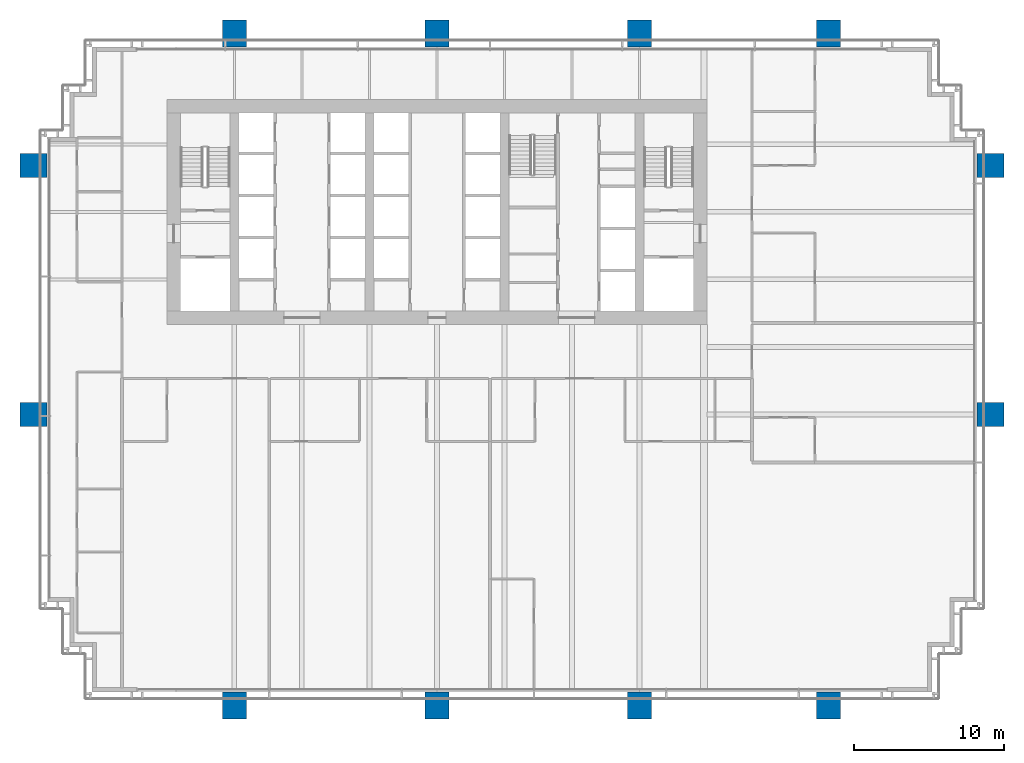
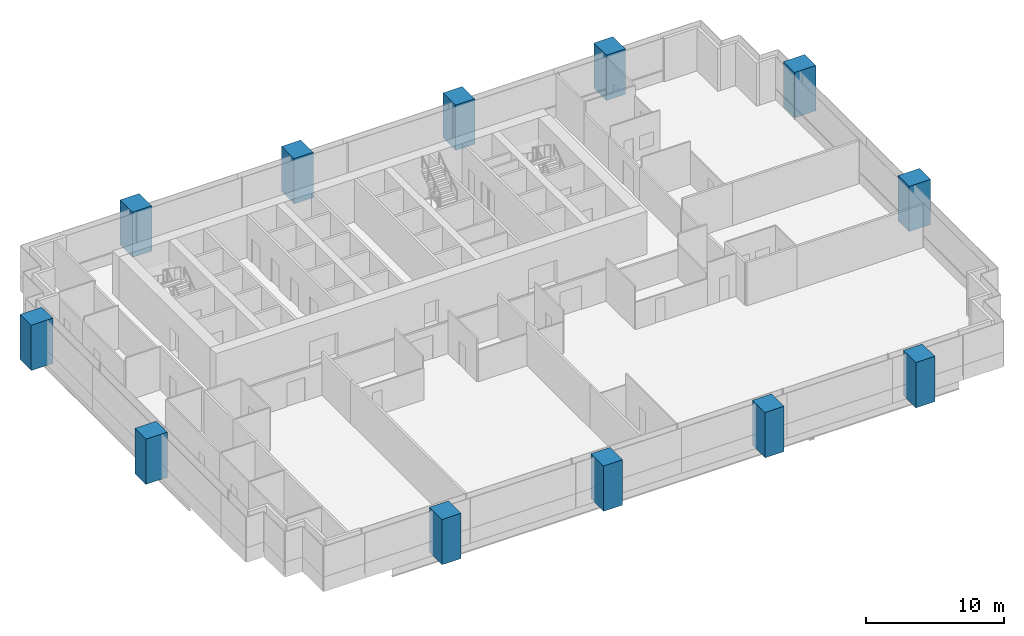
# One storey, part 1 of 19: 12 columns.
"""IFC4 building model written with IfcOpenShell, lengths in metres."""

from ifc_helpers import new_model, si_unit, direction, frame, origin, origin_2d, place, context, subcontext, project, spatial, rectangle, extrude, material, material_profile, profile_set, type_object, element, save


model = new_model("IFC4")

# Units and contexts
model_context = context("Model", 3, precision=1e-05, world=origin(), true_north=direction((0.0, 1.0)))
body_context = subcontext(model_context, "Body", "Model", "MODEL_VIEW")
ifc_project = project(units=[si_unit("LENGTHUNIT", "METRE"), si_unit("AREAUNIT", "SQUARE_METRE"), si_unit("VOLUMEUNIT", "CUBIC_METRE"), si_unit("PLANEANGLEUNIT", "RADIAN"), si_unit("MASSUNIT", "GRAM", prefix="KILO")], contexts=[model_context])

# Site, building, storey
site_placement = place(None, origin())
site = spatial("IfcSite", under=ifc_project, at=site_placement, CompositionType="ELEMENT")
building_placement = place(site_placement, origin())
building = spatial("IfcBuilding", under=site, at=building_placement, Name="Rattan Terrace Tower", CompositionType="ELEMENT")
storey_placement = place(building_placement, frame((0.0, 0.0, 87.699951171875)))
storey = spatial("IfcBuildingStorey", under=building, at=storey_placement, Name="L19", CompositionType="ELEMENT", Elevation=87.699951171875)

# Columns
ifc_material = material(Name="Concrete C60/75", Category="concrete")
ifc_material_profile = material_profile(ifc_material, rectangle(XDim=1.60009765625, YDim=1.800048828125, at=origin_2d()), Name="CFT 1800x1600")
ifc_profile_set = profile_set([ifc_material_profile], Name="Concrete C60/75")
column_type = type_object("IfcColumnType", Name="Frame exoskeleton column CFT 1800x1600", PredefinedType="COLUMN", material=ifc_profile_set)
for number, where, z_axis, x_axis, name in (
    (1, (-13.5, -32.89990234375, -0.199951171875), (0.0, 0.0, 1.0), (1.0, 0.0, 0.0), "exo-L19-001"),
    (2, (0.0, -32.89990234375, -0.199951171875), (0.0, 0.0, 1.0), (1.0, 0.0, 0.0), "exo-L19-002"),
    (3, (13.5, -32.89990234375, -0.199951171875), (0.0, 0.0, 1.0), (1.0, 0.0, 0.0), "exo-L19-003"),
    (4, (26.10009765625, -32.89990234375, -0.199951171875), (0.0, 0.0, 1.0), (1.0, 0.0, 0.0), "exo-L19-004"),
    (5, (-26.89990234375, -13.5, -0.199951171875), (0.0, 0.0, 1.0), (0.0, 1.0, 0.0), "exo-L19-005"),
    (6, (36.89990234375, -13.5, -0.199951171875), (0.0, 0.0, 1.0), (0.0, 1.0, 0.0), "exo-L19-006"),
    (7, (-26.89990234375, 3.10009765625, -0.199951171875), (0.0, 0.0, 1.0), (0.0, 1.0, 0.0), "exo-L19-007"),
    (8, (36.89990234375, 3.10009765625, -0.199951171875), (0.0, 0.0, 1.0), (0.0, 1.0, 0.0), "exo-L19-008"),
    (9, (-13.5, 11.89990234375, -0.199951171875), (0.0, 0.0, 1.0), (1.0, 0.0, 0.0), "exo-L19-009"),
    (10, (0.0, 11.89990234375, -0.199951171875), (0.0, 0.0, 1.0), (1.0, 0.0, 0.0), "exo-L19-010"),
    (11, (13.5, 11.89990234375, -0.199951171875), (0.0, 0.0, 1.0), (1.0, 0.0, 0.0), "exo-L19-011"),
    (12, (26.10009765625, 11.89990234375, -0.199951171875), (0.0, 0.0, 1.0), (1.0, 0.0, 0.0), "exo-L19-012"),
):
    element("IfcColumn", number, at=place(storey_placement, frame(where, z_axis=z_axis, x_axis=x_axis)), inside=storey, type_object=column_type, Name=name, PredefinedType="COLUMN", context=body_context, shape_type="SweptSolid", body=[
        extrude(rectangle(XDim=1.60009765625, YDim=1.800048828125, at=origin_2d()), origin(), (0.0, 0.0, 1.0), 4.0),
    ])

save(model, "model.ifc")
